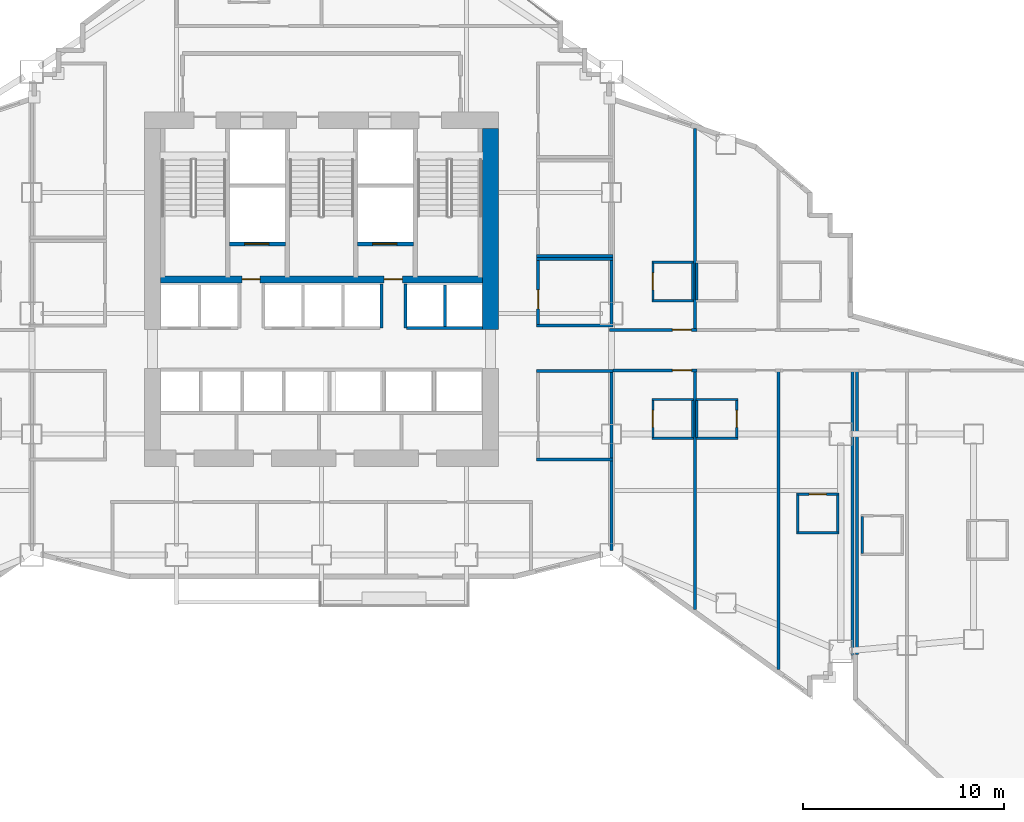
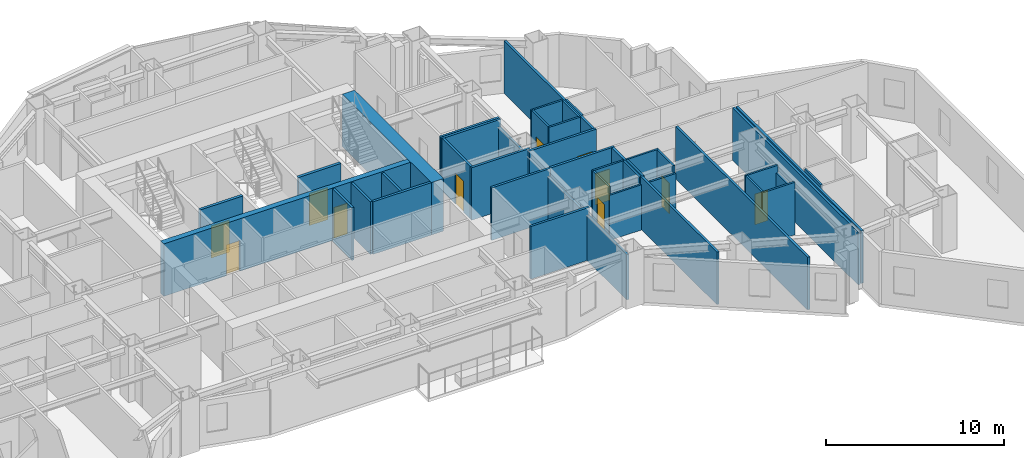
# One storey, part 10 of 17: 42 walls, 11 doors, 11 openings.
"""IFC4 building model written with IfcOpenShell, lengths in metres."""

import ifcopenshell
import ifcopenshell.guid

model = None  # the IFC model being written
_history = None  # IfcOwnerHistory: only IFC2X3 demands one
_inside = {}  # id of a spatial element -> (the spatial element, [elements in it])
_under = {}  # id of a project, library or spatial element -> (it, [spatial elements below it])
_declared = {}  # id of a project -> (the project, [libraries it declares])
_typed = {}  # id of a type object -> (the type object, [elements of that type])
_made_of = {}  # id of a material, layer set ... -> (it, [elements and type objects made of it])


def new_model(schema):
    """Start an empty IFC model of exactly this schema.

    Asked for "IFC4X3", IfcOpenShell would pick the latest addendum, in which some entities
    have other attributes; the version numbers below select the first issue.
    IFC2X3 requires an IfcOwnerHistory on every rooted entity: one is made here for all.
    """
    global model, _history
    if schema == "IFC4X3":
        model = ifcopenshell.file(schema_version=(4, 3, 0, 0))
    else:
        model = ifcopenshell.file(schema=schema)
    _inside.clear()
    _under.clear()
    _declared.clear()
    _typed.clear()
    _made_of.clear()
    _history = None
    if model.schema == "IFC2X3":
        org = make("IfcOrganization", Name="unknown")
        user = make(
            "IfcPersonAndOrganization",
            ThePerson=make("IfcPerson", FamilyName="unknown"),
            TheOrganization=org,
        )
        app = make(
            "IfcApplication",
            ApplicationDeveloper=org,
            Version="unknown",
            ApplicationFullName="unknown",
            ApplicationIdentifier="unknown",
        )
        _history = make(
            "IfcOwnerHistory",
            OwningUser=user,
            OwningApplication=app,
            ChangeAction="ADDED",
            CreationDate=0,
        )
    return model


def make(cls, **values):
    """One entity of the class cls with the attributes given. An attribute that is None is left unset."""
    return model.create_entity(
        cls, **{name: value for name, value in values.items() if value is not None}
    )


def rooted(cls, **values):
    """An entity with a GlobalId (a new one), such as an element, a storey or a relation."""
    return make(cls, GlobalId=ifcopenshell.guid.new(), OwnerHistory=_history, **values)


def si_unit(unit_type, name, prefix=None):
    """IfcSIUnit, for example si_unit("LENGTHUNIT", "METRE", prefix="MILLI")."""
    return make("IfcSIUnit", UnitType=unit_type, Prefix=prefix, Name=name)


def assignment(units):
    """IfcUnitAssignment: the units of a project."""
    return None if units is None else make("IfcUnitAssignment", Units=units)


def point(xyz):
    """IfcCartesianPoint."""
    return None if xyz is None else make("IfcCartesianPoint", Coordinates=xyz)


def direction(xyz):
    """IfcDirection."""
    return None if xyz is None else make("IfcDirection", DirectionRatios=xyz)


def frame(location, z_axis=None, x_axis=None):
    """IfcAxis2Placement3D, a coordinate frame: its origin and axes. An axis left out is left unset."""
    return make(
        "IfcAxis2Placement3D",
        Location=point(location),
        Axis=direction(z_axis),
        RefDirection=direction(x_axis),
    )


def frame_2d(location, x_axis=None):
    """IfcAxis2Placement2D, a coordinate frame in the plane: its origin and x axis."""
    return make(
        "IfcAxis2Placement2D", Location=point(location), RefDirection=direction(x_axis)
    )


def origin():
    """The frame at (0, 0, 0) with its axes left unset."""
    return frame((0.0, 0.0, 0.0))


def place(relative_to, where):
    """IfcLocalPlacement: puts the frame where relative to a parent placement (None: the world)."""
    return make(
        "IfcLocalPlacement", PlacementRelTo=relative_to, RelativePlacement=where
    )


def context(
    kind, dimensions, precision=None, world=None, true_north=None, identifier=None
):
    """IfcGeometricRepresentationContext, for example the 3D "Model" context."""
    return make(
        "IfcGeometricRepresentationContext",
        ContextIdentifier=identifier,
        ContextType=kind,
        CoordinateSpaceDimension=dimensions,
        Precision=precision,
        WorldCoordinateSystem=world,
        TrueNorth=true_north,
    )


def subcontext(parent, identifier, kind, view, scale=None):
    """IfcGeometricRepresentationSubContext, for example "Body" below "Model"."""
    return make(
        "IfcGeometricRepresentationSubContext",
        ContextIdentifier=identifier,
        ContextType=kind,
        ParentContext=parent,
        TargetScale=scale,
        TargetView=view,
    )


def project(units=None, contexts=None):
    """IfcProject with its units and contexts."""
    return rooted(
        "IfcProject",
        Name="project",
        RepresentationContexts=contexts,
        UnitsInContext=assignment(units),
    )


def spatial(cls, under=None, at=None, **own):
    """A site, building, storey or space (cls), placed at a placement, below another one or the project."""
    s = rooted(cls, ObjectPlacement=at, **own)
    if under is not None:
        _under.setdefault(under.id(), (under, []))[1].append(s)
    return s


def profile(cls, at=None, kind="AREA", **sizes):
    """A parametric profile (cls). Its sizes go by their IFC names, for example OverallWidth=200.0."""
    return make(cls, ProfileType=kind, Position=at, **sizes)


def rectangle(**sizes):
    """IfcRectangleProfileDef."""
    return profile("IfcRectangleProfileDef", **sizes)


def extrude(swept, where, along, depth):
    """IfcExtrudedAreaSolid: the profile swept, set in the frame where, extruded along a direction by depth."""
    return make(
        "IfcExtrudedAreaSolid",
        SweptArea=swept,
        Position=where,
        ExtrudedDirection=direction(along),
        Depth=depth,
    )


def shape(context_of_items, identifier, shape_type, items):
    """IfcShapeRepresentation: the items that make up one representation, for example the "Body"."""
    return make(
        "IfcShapeRepresentation",
        ContextOfItems=context_of_items,
        RepresentationIdentifier=identifier,
        RepresentationType=shape_type,
        Items=items,
    )


def material(Name=None, Category=None):
    """IfcMaterial."""
    return make("IfcMaterial", Name=Name, Category=Category)


def layer(
    of_material, thickness, ventilated=None, Name=None, Category=None, Priority=None
):
    """IfcMaterialLayer: one layer of a wall or slab, of a material (None: an air gap)."""
    return make(
        "IfcMaterialLayer",
        Material=of_material,
        LayerThickness=thickness,
        IsVentilated=ventilated,
        Name=Name,
        Category=Category,
        Priority=Priority,
    )


def layer_set(layers, Name=None):
    """IfcMaterialLayerSet."""
    return make("IfcMaterialLayerSet", MaterialLayers=layers, LayerSetName=Name)


def made_of(thing, what):
    """Note that an element or type object is made of a material, layer set ...; save() writes the relation."""
    if what is not None:
        _made_of.setdefault(what.id(), (what, []))[1].append(thing)
    return thing


def type_object(cls, material=None, **own):
    """A type object (cls), such as IfcWallType, which elements share."""
    return made_of(rooted(cls, **own), material)


def element(
    cls,
    number,
    at=None,
    inside=None,
    cuts=None,
    type_object=None,
    material=None,
    context=None,
    identifier="Body",
    shape_type=None,
    held_by="IfcProductDefinitionShape",
    body=None,
    shapes=None,
    **own,
):
    """One element of the class cls, such as IfcWall. Its Tag is "e" and its number.

    at: its placement. inside: the storey or other place that contains it. cuts: it is an
    opening in that element (IfcRelVoidsElement). A single representation is given by context,
    identifier, shape_type and body (its items); several are given by shapes. held_by: the class
    of the entity that holds the representations. save() writes the other relations.
    """
    e = rooted(cls, Tag="e%d" % number, ObjectPlacement=at, **own)
    if body is not None:
        shapes = [shape(context, identifier, shape_type, body)]
    if shapes is not None:
        e.Representation = make(held_by, Representations=shapes)
    if inside is not None:
        _inside.setdefault(inside.id(), (inside, []))[1].append(e)
    if cuts is not None:
        rooted(
            "IfcRelVoidsElement", RelatingBuildingElement=cuts, RelatedOpeningElement=e
        )
    if type_object is not None:
        _typed.setdefault(type_object.id(), (type_object, []))[1].append(e)
    return made_of(e, material)


def fill(opening, filler):
    """IfcRelFillsElement: the door or window that sits in an opening."""
    return rooted(
        "IfcRelFillsElement",
        RelatingOpeningElement=opening,
        RelatedBuildingElement=filler,
    )


def aggregate(whole, parts):
    """IfcRelAggregates: a whole, such as a stair, and the parts it consists of."""
    return rooted("IfcRelAggregates", RelatingObject=whole, RelatedObjects=parts)


def save(model, path):
    """Write the relations noted so far, then the file.

    IfcRelAggregates (storeys below a building ...), IfcRelContainedInSpatialStructure (elements
    in a storey), IfcRelDefinesByType, IfcRelAssociatesMaterial and IfcRelDeclares: one each for
    every whole, place, type object, material and project.
    """
    for whole, parts in _under.values():
        aggregate(whole, parts)
    for where, things in _inside.values():
        rooted(
            "IfcRelContainedInSpatialStructure",
            RelatedElements=things,
            RelatingStructure=where,
        )
    for kind, things in _typed.values():
        rooted("IfcRelDefinesByType", RelatedObjects=things, RelatingType=kind)
    for what, things in _made_of.values():
        rooted("IfcRelAssociatesMaterial", RelatedObjects=things, RelatingMaterial=what)
    for by, libraries in _declared.values():
        rooted("IfcRelDeclares", RelatingContext=by, RelatedDefinitions=libraries)
    model.write(path)


model = new_model("IFC4")

# Units and contexts
model_context = context("Model", 3, precision=1e-05, world=origin(), true_north=direction((0.0, 1.0)))
body_context = subcontext(model_context, "Body", "Model", "MODEL_VIEW")
ifc_project = project(units=[si_unit("LENGTHUNIT", "METRE"), si_unit("AREAUNIT", "SQUARE_METRE"), si_unit("VOLUMEUNIT", "CUBIC_METRE"), si_unit("PLANEANGLEUNIT", "RADIAN"), si_unit("MASSUNIT", "GRAM", prefix="KILO")], contexts=[model_context])

# Site, building, storey
site_placement = place(None, origin())
site = spatial("IfcSite", under=ifc_project, at=site_placement, CompositionType="ELEMENT")
building_placement = place(site_placement, origin())
building = spatial("IfcBuilding", under=site, at=building_placement, Name="Haolan Belvedere Tower", CompositionType="ELEMENT")
storey_placement = place(building_placement, frame((0.0, 0.0, 81.800048828125)))
storey = spatial("IfcBuildingStorey", under=building, at=storey_placement, Name="L20", CompositionType="ELEMENT", Elevation=81.800048828125)

# Walls
ifc_material_1 = material(Name="Concrete C70/85", Category="concrete")
ifc_layer_1 = layer(ifc_material_1, 0.800048828125, Name="Concrete C70/85")
ifc_layer_set_1 = layer_set([ifc_layer_1], Name="Concrete C70/85")
wall_type_1 = type_object("IfcWallType", Name="WL-CORE-800", PredefinedType="SHEAR", material=ifc_layer_set_1)
wall_1_placement = place(storey_placement, frame((46.800048828125, 32.800048828125, 0.0), z_axis=(0.0, 0.0, 1.0), x_axis=(0.0, 1.0, 0.0)))
element("IfcWall", 1, at=wall_1_placement, inside=storey, type_object=wall_type_1, Name="L20 central core shear wall EN", PredefinedType="SHEAR", context=body_context, shape_type="SweptSolid", body=[
    extrude(rectangle(XDim=10.0, YDim=0.800048828125, at=frame_2d((5.0, 0.0))), origin(), (0.0, 0.0, 1.0), 3.599853515625),
])
ifc_material_2 = material(Name="Double gypsum acoustic stud partition", Category="masonry")
ifc_layer_2 = layer(ifc_material_2, 0.14990234375, Name="Double gypsum acoustic stud partition")
ifc_layer_set_2 = layer_set([ifc_layer_2], Name="Double gypsum acoustic stud partition")
wall_type_2 = type_object("IfcWallType", Name="WL-PART-150", PredefinedType="PARTITIONING", material=ifc_layer_set_2)
for number, where, z_axis, x_axis, name in (
    (2, (49.080078125, 36.300048828125, 0.0), (0.0, 0.0, 1.0), (1.0, 0.0, 0.0), "L20 interior partition IW-L20-AWC-N"),
    (3, (49.080078125, 33.0, 0.0), (0.0, 0.0, 1.0), (1.0, 0.0, 0.0), "L20 interior partition IW-L20-AWC-S"),
):
    element("IfcWall", number, at=place(storey_placement, frame(where, z_axis=z_axis, x_axis=x_axis)), inside=storey, type_object=wall_type_2, Name=name, PredefinedType="PARTITIONING", context=body_context, shape_type="SweptSolid", body=[
        extrude(rectangle(XDim=3.7998046875, YDim=0.14990234375, at=frame_2d((1.89990234375, 0.0))), origin(), (0.0, 0.0, 1.0), 3.599853515625),
    ])

# Wall, opening, door
wall_2_placement = place(storey_placement, frame((49.159912109375, 33.06005859375, 0.0), z_axis=(0.0, 0.0, 1.0), x_axis=(0.0, 1.0, 0.0)))
wall_2 = element("IfcWall", 4, at=wall_2_placement, inside=storey, type_object=wall_type_2, Name="L20 interior partition IW-L20-AWC-W", PredefinedType="PARTITIONING", context=body_context, shape_type="SweptSolid", body=[
    extrude(rectangle(XDim=3.179931640625, YDim=0.14990234375, at=frame_2d((1.58984375, 0.0))), origin(), (0.0, 0.0, 1.0), 3.599853515625),
])
opening_1_placement = place(wall_2_placement, frame((0.760009765625, 0.0, 0.0)))
opening_1 = element("IfcOpeningElement", 5, at=opening_1_placement, cuts=wall_2, Name="Opening ID-03", PredefinedType="OPENING", context=body_context, shape_type="SweptSolid", body=[
    extrude(rectangle(XDim=0.949951171875, YDim=2.1201171875, at=frame_2d((0.47509765625, 1.06005859375))), frame((0.0, 0.0849609375, 0.0), z_axis=(0.0, -1.0, 0.0), x_axis=(1.0, 0.0, 0.0)), (0.0, 0.0, 1.0), 0.169921875),
])
ifc_material_3 = material(Name="Painted solid-core timber", Category="wood")
door_type_1 = type_object("IfcDoorType", Name="DR-INT-950", OperationType="NOTDEFINED", PredefinedType="DOOR", material=ifc_material_3)
door_1_placement = place(opening_1_placement, origin())
door_1 = element("IfcDoor", 6, at=door_1_placement, inside=storey, type_object=door_type_1, Name="L20 door ID-L20-AWC", OperationType="SINGLE_SWING_LEFT", OverallHeight=2.1201171875, OverallWidth=0.949951171875, PredefinedType="DOOR", context=body_context, shape_type="SweptSolid", body=[
    extrude(rectangle(XDim=0.949951171875, YDim=2.1201171875, at=frame_2d((0.47509765625, 1.06005859375))), frame((0.0, 0.02490234375, 0.0), z_axis=(0.0, -1.0, 0.0), x_axis=(1.0, 0.0, 0.0)), (0.0, 0.0, 1.0), 0.050048828125),
])
fill(opening_1, door_1)

# Walls
wall_3_placement = place(storey_placement, frame((52.800048828125, 33.06005859375, 0.0), z_axis=(0.0, 0.0, 1.0), x_axis=(0.0, 1.0, 0.0)))
element("IfcWall", 7, at=wall_3_placement, inside=storey, type_object=wall_type_2, Name="L20 interior partition IW-L20-AWC-E", PredefinedType="PARTITIONING", context=body_context, shape_type="SweptSolid", body=[
    extrude(rectangle(XDim=3.179931640625, YDim=0.14990234375, at=frame_2d((1.58984375, 0.0))), origin(), (0.0, 0.0, 1.0), 3.096923828125),
])
for number, where, z_axis, x_axis, name in (
    (8, (49.080078125, 36.4599609375, 0.0), (0.0, 0.0, 1.0), (1.0, 0.0, 0.0), "L20 interior partition IW-L20-STY-S"),
    (9, (49.080078125, 30.72998046875, 0.0), (0.0, 0.0, 1.0), (1.0, 0.0, 0.0), "L20 interior partition IW-L20-PKTE-N"),
    (10, (49.080078125, 26.35009765625, 0.0), (0.0, 0.0, 1.0), (1.0, 0.0, 0.0), "L20 interior partition IW-L20-PKTE-S"),
):
    element("IfcWall", number, at=place(storey_placement, frame(where, z_axis=z_axis, x_axis=x_axis)), inside=storey, type_object=wall_type_2, Name=name, PredefinedType="PARTITIONING", context=body_context, shape_type="SweptSolid", body=[
        extrude(rectangle(XDim=3.7998046875, YDim=0.14990234375, at=frame_2d((1.89990234375, 0.0))), origin(), (0.0, 0.0, 1.0), 3.599853515625),
    ])
wall_4_placement = place(storey_placement, frame((52.800048828125, 26.409912109375, 0.0), z_axis=(0.0, 0.0, 1.0), x_axis=(0.0, 1.0, 0.0)))
element("IfcWall", 11, at=wall_4_placement, inside=storey, type_object=wall_type_2, Name="L20 interior partition IW-L20-PKTE-E", PredefinedType="PARTITIONING", context=body_context, shape_type="SweptSolid", body=[
    extrude(rectangle(XDim=4.260009765625, YDim=0.14990234375, at=frame_2d((2.1298828125, 0.0))), origin(), (0.0, 0.0, 1.0), 3.096923828125),
])

# Wall, opening, door
wall_5_placement = place(storey_placement, frame((52.699951171875, 32.780029296875, 0.0), z_axis=(0.0, 0.0, 1.0), x_axis=(1.0, 0.0, 0.0)))
wall_5 = element("IfcWall", 12, at=wall_5_placement, inside=storey, type_object=wall_type_2, Name="L20 interior partition IW-L20-T4N1-S", PredefinedType="PARTITIONING", context=body_context, shape_type="SweptSolid", body=[
    extrude(rectangle(XDim=4.35009765625, YDim=0.14990234375, at=frame_2d((2.175048828125, 0.0))), origin(), (0.0, 0.0, 1.0), 3.599853515625),
])
opening_2_placement = place(wall_5_placement, frame((3.1298828125, 0.0, 0.0)))
opening_2 = element("IfcOpeningElement", 13, at=opening_2_placement, cuts=wall_5, Name="Opening ID-02", PredefinedType="OPENING", context=body_context, shape_type="SweptSolid", body=[
    extrude(rectangle(XDim=0.949951171875, YDim=2.14990234375, at=frame_2d((0.47509765625, 1.074951171875))), frame((0.0, 0.0849609375, 0.0), z_axis=(0.0, -1.0, 0.0), x_axis=(1.0, 0.0, 0.0)), (0.0, 0.0, 1.0), 0.169921875),
])
ifc_material_4 = material(Name="Acoustic oak veneer fire-rated timber", Category="wood")
door_type_2 = type_object("IfcDoorType", Name="DR-GUEST-950", OperationType="NOTDEFINED", PredefinedType="DOOR", material=ifc_material_4)
door_2_placement = place(opening_2_placement, origin())
door_2 = element("IfcDoor", 14, at=door_2_placement, inside=storey, type_object=door_type_2, Name="L20 door ID-L20-T4N1-ENT", OperationType="SINGLE_SWING_RIGHT", OverallHeight=2.14990234375, OverallWidth=0.949951171875, PredefinedType="DOOR", context=body_context, shape_type="SweptSolid", body=[
    extrude(rectangle(XDim=0.949951171875, YDim=2.14990234375, at=frame_2d((0.47509765625, 1.074951171875))), frame((0.0, 0.02490234375, 0.0), z_axis=(0.0, -1.0, 0.0), x_axis=(1.0, 0.0, 0.0)), (0.0, 0.0, 1.0), 0.050048828125),
])
fill(opening_2, door_2)

# Wall
wall_6_placement = place(storey_placement, frame((56.949951171875, 32.840087890625, 0.0), z_axis=(0.0, 0.0, 1.0), x_axis=(0.0, 1.0, 0.0)))
element("IfcWall", 15, at=wall_6_placement, inside=storey, type_object=wall_type_2, Name="L20 interior partition IW-L20-T4N1-E", PredefinedType="PARTITIONING", context=body_context, shape_type="SweptSolid", body=[
    extrude(rectangle(XDim=9.939453125, YDim=0.14990234375, at=frame_2d((4.9697265625, 0.0))), origin(), (0.0, 0.0, 1.0), 3.599853515625),
])

# Wall, opening, door
wall_7_placement = place(storey_placement, frame((52.882080078125, 30.77001953125, 0.0), z_axis=(0.0, 0.0, 1.0), x_axis=(1.0, 0.0, 0.0)))
wall_7 = element("IfcWall", 16, at=wall_7_placement, inside=storey, type_object=wall_type_2, Name="L20 interior partition IW-L20-T4S1-N", PredefinedType="PARTITIONING", context=body_context, shape_type="SweptSolid", body=[
    extrude(rectangle(XDim=4.16796875, YDim=0.14990234375, at=frame_2d((2.083984375, 0.0))), origin(), (0.0, 0.0, 1.0), 3.599853515625),
])
opening_3_placement = place(wall_7_placement, frame((3.904541015625, 0.0, 0.0), z_axis=(0.0, 0.0, 1.0), x_axis=(-1.0, 0.0, 0.0)))
opening_3 = element("IfcOpeningElement", 17, at=opening_3_placement, cuts=wall_7, Name="Opening ID-02", PredefinedType="OPENING", context=body_context, shape_type="SweptSolid", body=[
    extrude(rectangle(XDim=0.949951171875, YDim=2.14990234375, at=frame_2d((0.47509765625, 1.074951171875))), frame((0.0, 0.0849609375, 0.0), z_axis=(0.0, -1.0, 0.0), x_axis=(1.0, 0.0, 0.0)), (0.0, 0.0, 1.0), 0.169921875),
])
door_3_placement = place(opening_3_placement, origin())
door_3 = element("IfcDoor", 18, at=door_3_placement, inside=storey, type_object=door_type_2, Name="L20 door ID-L20-T4S1-ENT", OperationType="SINGLE_SWING_LEFT", OverallHeight=2.14990234375, OverallWidth=0.949951171875, PredefinedType="DOOR", context=body_context, shape_type="SweptSolid", body=[
    extrude(rectangle(XDim=0.949951171875, YDim=2.14990234375, at=frame_2d((0.47509765625, 1.074951171875))), frame((0.0, 0.02490234375, 0.0), z_axis=(0.0, -1.0, 0.0), x_axis=(1.0, 0.0, 0.0)), (0.0, 0.0, 1.0), 0.050048828125),
])
fill(opening_3, door_3)

# Walls
wall_8_placement = place(storey_placement, frame((52.800048828125, 21.818603515625, 0.0), z_axis=(0.0, 0.0, 1.0), x_axis=(0.0, 1.0, 0.0)))
element("IfcWall", 19, at=wall_8_placement, inside=storey, type_object=wall_type_2, Name="L20 interior partition IW-L20-T4S1-W", PredefinedType="PARTITIONING", context=body_context, shape_type="SweptSolid", body=[
    extrude(rectangle(XDim=4.471435546875, YDim=0.14990234375, at=frame_2d((2.23583984375, 0.0))), origin(), (0.0, 0.0, 1.0), 3.096923828125),
])
wall_9_placement = place(storey_placement, frame((56.949951171875, 18.889404296875, 0.0), z_axis=(0.0, 0.0, 1.0), x_axis=(0.0, 1.0, 0.0)))
element("IfcWall", 20, at=wall_9_placement, inside=storey, type_object=wall_type_2, Name="L20 interior partition IW-L20-T4S1-E", PredefinedType="PARTITIONING", context=body_context, shape_type="SweptSolid", body=[
    extrude(rectangle(XDim=11.820556640625, YDim=0.14990234375, at=frame_2d((5.91015625, 0.0))), origin(), (0.0, 0.0, 1.0), 3.599853515625),
])
wall_10_placement = place(storey_placement, frame((61.10009765625, 15.9013671875, 0.0), z_axis=(0.0, 0.0, 1.0), x_axis=(0.0, 1.0, 0.0)))
element("IfcWall", 21, at=wall_10_placement, inside=storey, type_object=wall_type_2, Name="L20 interior partition IW-L20-T4S2-E", PredefinedType="PARTITIONING", context=body_context, shape_type="SweptSolid", body=[
    extrude(rectangle(XDim=14.80859375, YDim=0.14990234375, at=frame_2d((7.404296875, 0.0))), origin(), (0.0, 0.0, 1.0), 3.599853515625),
])
wall_11_placement = place(storey_placement, frame((65.0, 16.64208984375, 0.0), z_axis=(0.0, 0.0, 1.0), x_axis=(0.0, 1.0, 0.0)))
element("IfcWall", 22, at=wall_11_placement, inside=storey, type_object=wall_type_2, Name="L20 interior partition IW-L20-T4S3-E", PredefinedType="PARTITIONING", context=body_context, shape_type="SweptSolid", body=[
    extrude(rectangle(XDim=14.06787109375, YDim=0.14990234375, at=frame_2d((7.033935546875, 0.0))), origin(), (0.0, 0.0, 1.0), 3.599853515625),
])
wall_12_placement = place(storey_placement, frame((64.780029296875, 16.612060546875, 0.0), z_axis=(0.0, 0.0, 1.0), x_axis=(0.0, 1.0, 0.0)))
element("IfcWall", 23, at=wall_12_placement, inside=storey, type_object=wall_type_2, Name="L20 interior partition IW-L20-T5S1-W", PredefinedType="PARTITIONING", context=body_context, shape_type="SweptSolid", body=[
    extrude(rectangle(XDim=14.097900390625, YDim=0.14990234375, at=frame_2d((7.048828125, 0.0))), origin(), (0.0, 0.0, 1.0), 3.599853515625),
])
ifc_material_5 = material(Name="Gypsum fire shaftwall assembly", Category="masonry")
ifc_layer_3 = layer(ifc_material_5, 0.1650390625, Name="Gypsum fire shaftwall assembly")
ifc_layer_set_3 = layer_set([ifc_layer_3], Name="Gypsum fire shaftwall assembly")
wall_type_3 = type_object("IfcWallType", Name="WL-SHAFT-160", PredefinedType="SOLIDWALL", material=ifc_layer_set_3)
for number, where, z_axis, x_axis, name in (
    (24, (41.3701171875, 32.8798828125, 0.0), (0.0, 0.0, 1.0), (0.0, 1.0, 0.0), "L20 interior partition IW-L20-SVP-W-SV2"),
    (25, (42.570068359375, 32.8798828125, 0.0), (0.0, 0.0, 1.0), (0.0, 1.0, 0.0), "L20 interior partition IW-L20-SVP-E-SV2"),
):
    element("IfcWall", number, at=place(storey_placement, frame(where, z_axis=z_axis, x_axis=x_axis)), inside=storey, type_object=wall_type_3, Name=name, PredefinedType="SOLIDWALL", context=body_context, shape_type="SweptSolid", body=[
        extrude(rectangle(XDim=2.170166015625, YDim=0.14990234375, at=frame_2d((1.0849609375, 0.0))), origin(), (0.0, 0.0, 1.0), 3.599853515625),
    ])
wall_13_placement = place(storey_placement, frame((42.6298828125, 32.8798828125, 0.0), z_axis=(0.0, 0.0, 1.0), x_axis=(1.0, 0.0, 0.0)))
element("IfcWall", 26, at=wall_13_placement, inside=storey, type_object=wall_type_3, Name="L20 interior partition IW-L20-ROW-PN3", PredefinedType="SOLIDWALL", context=body_context, shape_type="SweptSolid", body=[
    extrude(rectangle(XDim=3.77001953125, YDim=0.159912109375, at=frame_2d((1.885009765625, 0.0))), origin(), (0.0, 0.0, 1.0), 3.599853515625),
])
wall_14_placement = place(storey_placement, frame((44.530029296875, 32.949951171875, 0.0), z_axis=(0.0, 0.0, 1.0), x_axis=(0.0, 1.0, 0.0)))
element("IfcWall", 27, at=wall_14_placement, inside=storey, type_object=wall_type_3, Name="L20 interior partition IW-L20-DIV-PH2", PredefinedType="SOLIDWALL", context=body_context, shape_type="SweptSolid", body=[
    extrude(rectangle(XDim=2.050048828125, YDim=0.14990234375, at=frame_2d((1.02490234375, 0.0))), origin(), (0.0, 0.0, 1.0), 3.599853515625),
])

# Wall, opening, door
ifc_material_6 = material(Name="Precast concrete C40/50", Category="concrete")
ifc_layer_4 = layer(ifc_material_6, 0.179931640625, Name="Precast concrete C40/50")
ifc_layer_set_4 = layer_set([ifc_layer_4], Name="Precast concrete C40/50")
wall_type_4 = type_object("IfcWallType", Name="WL-SHAFT-180", PredefinedType="SOLIDWALL", material=ifc_layer_set_4)
wall_15_placement = place(storey_placement, frame((33.8349609375, 37.050048828125, 0.0), z_axis=(0.0, 0.0, 1.0), x_axis=(1.0, 0.0, 0.0)))
wall_15 = element("IfcWall", 28, at=wall_15_placement, inside=storey, type_object=wall_type_4, Name="L20 interior partition IW-L20-SV1-S", PredefinedType="SOLIDWALL", context=body_context, shape_type="SweptSolid", body=[
    extrude(rectangle(XDim=2.77001953125, YDim=0.179931640625, at=frame_2d((1.385009765625, 0.0))), origin(), (0.0, 0.0, 1.0), 3.599853515625),
])
opening_4_placement = place(wall_15_placement, frame((1.945068359375, 0.0, 0.0), z_axis=(0.0, 0.0, 1.0), x_axis=(-1.0, 0.0, 0.0)))
opening_4 = element("IfcOpeningElement", 29, at=opening_4_placement, cuts=wall_15, Name="Opening LD-02", PredefinedType="OPENING", context=body_context, shape_type="SweptSolid", body=[
    extrude(rectangle(XDim=1.199951171875, YDim=2.199951171875, at=frame_2d((0.60009765625, 1.10009765625))), frame((0.0, 0.099853515625, 0.0), z_axis=(0.0, -1.0, 0.0), x_axis=(1.0, 0.0, 0.0)), (0.0, 0.0, 1.0), 0.199951171875),
])
ifc_material_7 = material(Name="Brushed champagne stainless steel 316L", Category="steel")
door_type_3 = type_object("IfcDoorType", Name="DR-LIFT-1200", OperationType="SLIDING_TO_RIGHT", PredefinedType="DOOR", material=ifc_material_7)
door_4_placement = place(opening_4_placement, origin())
door_4 = element("IfcDoor", 30, at=door_4_placement, inside=storey, type_object=door_type_3, Name="L20 door ID-L20-LD-SV1", OperationType="SLIDING_TO_RIGHT", OverallHeight=2.199951171875, OverallWidth=1.199951171875, PredefinedType="DOOR", context=body_context, shape_type="SweptSolid", body=[
    extrude(rectangle(XDim=1.199951171875, YDim=2.199951171875, at=frame_2d((0.60009765625, 1.10009765625))), frame((0.0, 0.02490234375, 0.0), z_axis=(0.0, -1.0, 0.0), x_axis=(1.0, 0.0, 0.0)), (0.0, 0.0, 1.0), 0.050048828125),
])
fill(opening_4, door_4)

wall_16_placement = place(storey_placement, frame((40.195068359375, 37.050048828125, 0.0), z_axis=(0.0, 0.0, 1.0), x_axis=(1.0, 0.0, 0.0)))
wall_16 = element("IfcWall", 31, at=wall_16_placement, inside=storey, type_object=wall_type_4, Name="L20 interior partition IW-L20-SV2-S", PredefinedType="SOLIDWALL", context=body_context, shape_type="SweptSolid", body=[
    extrude(rectangle(XDim=2.77001953125, YDim=0.179931640625, at=frame_2d((1.385009765625, 0.0))), origin(), (0.0, 0.0, 1.0), 3.599853515625),
])
opening_5_placement = place(wall_16_placement, frame((1.945068359375, 0.0, 0.0), z_axis=(0.0, 0.0, 1.0), x_axis=(-1.0, 0.0, 0.0)))
opening_5 = element("IfcOpeningElement", 32, at=opening_5_placement, cuts=wall_16, Name="Opening LD-02", PredefinedType="OPENING", context=body_context, shape_type="SweptSolid", body=[
    extrude(rectangle(XDim=1.199951171875, YDim=2.199951171875, at=frame_2d((0.60009765625, 1.10009765625))), frame((0.0, 0.099853515625, 0.0), z_axis=(0.0, -1.0, 0.0), x_axis=(1.0, 0.0, 0.0)), (0.0, 0.0, 1.0), 0.199951171875),
])
door_5_placement = place(opening_5_placement, origin())
door_5 = element("IfcDoor", 33, at=door_5_placement, inside=storey, type_object=door_type_3, Name="L20 door ID-L20-LD-SV2", OperationType="SLIDING_TO_RIGHT", OverallHeight=2.199951171875, OverallWidth=1.199951171875, PredefinedType="DOOR", context=body_context, shape_type="SweptSolid", body=[
    extrude(rectangle(XDim=1.199951171875, YDim=2.199951171875, at=frame_2d((0.60009765625, 1.10009765625))), frame((0.0, 0.02490234375, 0.0), z_axis=(0.0, -1.0, 0.0), x_axis=(1.0, 0.0, 0.0)), (0.0, 0.0, 1.0), 0.050048828125),
])
fill(opening_5, door_5)

# Wall, openings, doors
ifc_material_8 = material(Name="Concrete C60/75", Category="concrete")
ifc_layer_5 = layer(ifc_material_8, 0.360107421875, Name="Concrete C60/75")
ifc_layer_set_5 = layer_set([ifc_layer_5], Name="Concrete C60/75")
wall_type_5 = type_object("IfcWallType", Name="WL-WEB-350", PredefinedType="SHEAR", material=ifc_layer_set_5)
wall_17_placement = place(storey_placement, frame((30.39990234375, 35.2900390625, 0.0), z_axis=(0.0, 0.0, 1.0), x_axis=(1.0, 0.0, 0.0)))
wall_17 = element("IfcWall", 34, at=wall_17_placement, inside=storey, type_object=wall_type_5, Name="L20 central core internal shear web", PredefinedType="SHEAR", context=body_context, shape_type="SweptSolid", body=[
    extrude(rectangle(XDim=16.0, YDim=0.360107421875, at=frame_2d((8.0, 0.0))), origin(), (0.0, 0.0, 1.0), 3.599853515625),
])
opening_6_placement = place(wall_17_placement, frame((4.949951171875, 0.0, 0.0), z_axis=(0.0, 0.0, 1.0), x_axis=(-1.0, 0.0, 0.0)))
opening_6 = element("IfcOpeningElement", 35, at=opening_6_placement, cuts=wall_17, Name="Opening FD-05", PredefinedType="OPENING", context=body_context, shape_type="SweptSolid", body=[
    extrude(rectangle(XDim=0.89990234375, YDim=2.10009765625, at=frame_2d((0.449951171875, 1.050048828125))), frame((0.0, 0.18994140625, 0.0), z_axis=(0.0, -1.0, 0.0), x_axis=(1.0, 0.0, 0.0)), (0.0, 0.0, 1.0), 0.380126953125),
])
opening_7_placement = place(wall_17_placement, frame((12.010009765625, 0.0, 0.0), z_axis=(0.0, 0.0, 1.0), x_axis=(-1.0, 0.0, 0.0)))
opening_7 = element("IfcOpeningElement", 36, at=opening_7_placement, cuts=wall_17, Name="Opening FD-05", PredefinedType="OPENING", context=body_context, shape_type="SweptSolid", body=[
    extrude(rectangle(XDim=0.89990234375, YDim=2.10009765625, at=frame_2d((0.449951171875, 1.050048828125))), frame((0.0, 0.18994140625, 0.0), z_axis=(0.0, -1.0, 0.0), x_axis=(1.0, 0.0, 0.0)), (0.0, 0.0, 1.0), 0.380126953125),
])
ifc_material_9 = material(Name="Galvanised fire-rated steel", Category="steel")
door_type_4 = type_object("IfcDoorType", Name="DR-FD60-900", OperationType="NOTDEFINED", PredefinedType="DOOR", material=ifc_material_9)
door_6_placement = place(opening_6_placement, origin())
door_6 = element("IfcDoor", 37, at=door_6_placement, inside=storey, type_object=door_type_4, Name="L20 door CD-L20-SVL-SV1", OperationType="SINGLE_SWING_RIGHT", OverallHeight=2.10009765625, OverallWidth=0.89990234375, PredefinedType="DOOR", context=body_context, shape_type="SweptSolid", body=[
    extrude(rectangle(XDim=0.89990234375, YDim=2.10009765625, at=frame_2d((0.449951171875, 1.050048828125))), frame((0.0, 0.02490234375, 0.0), z_axis=(0.0, -1.0, 0.0), x_axis=(1.0, 0.0, 0.0)), (0.0, 0.0, 1.0), 0.050048828125),
])
fill(opening_6, door_6)
door_7_placement = place(opening_7_placement, origin())
door_7 = element("IfcDoor", 38, at=door_7_placement, inside=storey, type_object=door_type_4, Name="L20 door CD-L20-SVL-SV2", OperationType="SINGLE_SWING_RIGHT", OverallHeight=2.10009765625, OverallWidth=0.89990234375, PredefinedType="DOOR", context=body_context, shape_type="SweptSolid", body=[
    extrude(rectangle(XDim=0.89990234375, YDim=2.10009765625, at=frame_2d((0.449951171875, 1.050048828125))), frame((0.0, 0.02490234375, 0.0), z_axis=(0.0, -1.0, 0.0), x_axis=(1.0, 0.0, 0.0)), (0.0, 0.0, 1.0), 0.050048828125),
])
fill(opening_7, door_7)

# Walls
ifc_material_10 = material(Name="Moisture-resistant gypsum tile partition", Category="masonry")
ifc_layer_6 = layer(ifc_material_10, 0.1201171875, Name="Moisture-resistant gypsum tile partition")
ifc_layer_set_6 = layer_set([ifc_layer_6], Name="Moisture-resistant gypsum tile partition")
wall_type_6 = type_object("IfcWallType", Name="WL-WET-120", PredefinedType="PARTITIONING", material=ifc_layer_set_6)
for number, where, z_axis, x_axis, name in (
    (39, (54.81005859375, 36.14990234375, 0.0), (0.0, 0.0, 1.0), (1.0, 0.0, 0.0), "L20 interior partition IW-L20-T4N1-BN"),
    (40, (54.81005859375, 34.22998046875, 0.0), (0.0, 0.0, 1.0), (1.0, 0.0, 0.0), "L20 interior partition IW-L20-T4N1-BS"),
):
    element("IfcWall", number, at=place(storey_placement, frame(where, z_axis=z_axis, x_axis=x_axis)), inside=storey, type_object=wall_type_6, Name=name, PredefinedType="PARTITIONING", context=body_context, shape_type="SweptSolid", body=[
        extrude(rectangle(XDim=2.079833984375, YDim=0.1201171875, at=frame_2d((1.0400390625, 0.0))), origin(), (0.0, 0.0, 1.0), 3.599853515625),
    ])

# Wall, opening, door
wall_18_placement = place(storey_placement, frame((54.8701171875, 34.27490234375, 0.0), z_axis=(0.0, 0.0, 1.0), x_axis=(0.0, 1.0, 0.0)))
wall_18 = element("IfcWall", 41, at=wall_18_placement, inside=storey, type_object=wall_type_6, Name="L20 interior partition IW-L20-T4N1-BW", PredefinedType="PARTITIONING", context=body_context, shape_type="SweptSolid", body=[
    extrude(rectangle(XDim=1.830078125, YDim=0.1201171875, at=frame_2d((0.9150390625, 0.0))), origin(), (0.0, 0.0, 1.0), 3.599853515625),
])
opening_8_placement = place(wall_18_placement, frame((1.340087890625, 0.0, 0.0), z_axis=(0.0, 0.0, 1.0), x_axis=(-1.0, 0.0, 0.0)))
opening_8 = element("IfcOpeningElement", 42, at=opening_8_placement, cuts=wall_18, Name="Opening ID-05", PredefinedType="OPENING", context=body_context, shape_type="SweptSolid", body=[
    extrude(rectangle(XDim=0.85009765625, YDim=2.10009765625, at=frame_2d((0.425048828125, 1.050048828125))), frame((0.0, 0.070068359375, 0.0), z_axis=(0.0, -1.0, 0.0), x_axis=(1.0, 0.0, 0.0)), (0.0, 0.0, 1.0), 0.14013671875),
])
ifc_material_11 = material(Name="Moisture-resistant lacquered timber", Category="wood")
door_type_5 = type_object("IfcDoorType", Name="DR-BATH-850", OperationType="NOTDEFINED", PredefinedType="DOOR", material=ifc_material_11)
door_8_placement = place(opening_8_placement, origin())
door_8 = element("IfcDoor", 43, at=door_8_placement, inside=storey, type_object=door_type_5, Name="L20 door ID-L20-T4N1-BATH", OperationType="SINGLE_SWING_LEFT", OverallHeight=2.10009765625, OverallWidth=0.85009765625, PredefinedType="DOOR", context=body_context, shape_type="SweptSolid", body=[
    extrude(rectangle(XDim=0.85009765625, YDim=2.10009765625, at=frame_2d((0.425048828125, 1.050048828125))), frame((0.0, 0.02490234375, 0.0), z_axis=(0.0, -1.0, 0.0), x_axis=(1.0, 0.0, 0.0)), (0.0, 0.0, 1.0), 0.050048828125),
])
fill(opening_8, door_8)

# Walls
for number, where, z_axis, x_axis, name in (
    (44, (56.85009765625, 34.27490234375, 0.0), (0.0, 0.0, 1.0), (0.0, 1.0, 0.0), "L20 interior partition IW-L20-T4N1-BE"),
    (45, (57.050048828125, 34.27490234375, 0.0), (0.0, 0.0, 1.0), (0.0, 1.0, 0.0), "L20 interior partition IW-L20-T4N2-BW"),
):
    element("IfcWall", number, at=place(storey_placement, frame(where, z_axis=z_axis, x_axis=x_axis)), inside=storey, type_object=wall_type_6, Name=name, PredefinedType="PARTITIONING", context=body_context, shape_type="SweptSolid", body=[
        extrude(rectangle(XDim=1.830078125, YDim=0.1201171875, at=frame_2d((0.9150390625, 0.0))), origin(), (0.0, 0.0, 1.0), 3.599853515625),
    ])
wall_19_placement = place(storey_placement, frame((54.81005859375, 29.320068359375, 0.0), z_axis=(0.0, 0.0, 1.0), x_axis=(1.0, 0.0, 0.0)))
element("IfcWall", 46, at=wall_19_placement, inside=storey, type_object=wall_type_6, Name="L20 interior partition IW-L20-T4S1-BN", PredefinedType="PARTITIONING", context=body_context, shape_type="SweptSolid", body=[
    extrude(rectangle(XDim=2.079833984375, YDim=0.1201171875, at=frame_2d((1.0400390625, 0.0))), origin(), (0.0, 0.0, 1.0), 3.599853515625),
])
wall_20_placement = place(storey_placement, frame((54.81005859375, 27.39990234375, 0.0), z_axis=(0.0, 0.0, 1.0), x_axis=(1.0, 0.0, 0.0)))
element("IfcWall", 47, at=wall_20_placement, inside=storey, type_object=wall_type_6, Name="L20 interior partition IW-L20-T4S1-BS", PredefinedType="PARTITIONING", context=body_context, shape_type="SweptSolid", body=[
    extrude(rectangle(XDim=2.079833984375, YDim=0.1201171875, at=frame_2d((1.0400390625, 0.0))), origin(), (0.0, 0.0, 1.0), 3.096923828125),
])

# Wall, opening, door
wall_21_placement = place(storey_placement, frame((54.8701171875, 27.445068359375, 0.0), z_axis=(0.0, 0.0, 1.0), x_axis=(0.0, 1.0, 0.0)))
wall_21 = element("IfcWall", 48, at=wall_21_placement, inside=storey, type_object=wall_type_6, Name="L20 interior partition IW-L20-T4S1-BW", PredefinedType="PARTITIONING", context=body_context, shape_type="SweptSolid", body=[
    extrude(rectangle(XDim=1.829833984375, YDim=0.1201171875, at=frame_2d((0.9150390625, 0.0))), origin(), (0.0, 0.0, 1.0), 3.599853515625),
])
opening_9_placement = place(wall_21_placement, frame((1.340087890625, 0.0, 0.0), z_axis=(0.0, 0.0, 1.0), x_axis=(-1.0, 0.0, 0.0)))
opening_9 = element("IfcOpeningElement", 49, at=opening_9_placement, cuts=wall_21, Name="Opening ID-05", PredefinedType="OPENING", context=body_context, shape_type="SweptSolid", body=[
    extrude(rectangle(XDim=0.85009765625, YDim=2.10009765625, at=frame_2d((0.425048828125, 1.050048828125))), frame((0.0, 0.070068359375, 0.0), z_axis=(0.0, -1.0, 0.0), x_axis=(1.0, 0.0, 0.0)), (0.0, 0.0, 1.0), 0.14013671875),
])
door_9_placement = place(opening_9_placement, origin())
door_9 = element("IfcDoor", 50, at=door_9_placement, inside=storey, type_object=door_type_5, Name="L20 door ID-L20-T4S1-BATH", OperationType="SINGLE_SWING_RIGHT", OverallHeight=2.10009765625, OverallWidth=0.85009765625, PredefinedType="DOOR", context=body_context, shape_type="SweptSolid", body=[
    extrude(rectangle(XDim=0.85009765625, YDim=2.10009765625, at=frame_2d((0.425048828125, 1.050048828125))), frame((0.0, 0.02490234375, 0.0), z_axis=(0.0, -1.0, 0.0), x_axis=(1.0, 0.0, 0.0)), (0.0, 0.0, 1.0), 0.050048828125),
])
fill(opening_9, door_9)

# Walls
wall_22_placement = place(storey_placement, frame((56.85009765625, 27.445068359375, 0.0), z_axis=(0.0, 0.0, 1.0), x_axis=(0.0, 1.0, 0.0)))
element("IfcWall", 51, at=wall_22_placement, inside=storey, type_object=wall_type_6, Name="L20 interior partition IW-L20-T4S1-BE", PredefinedType="PARTITIONING", context=body_context, shape_type="SweptSolid", body=[
    extrude(rectangle(XDim=1.829833984375, YDim=0.1201171875, at=frame_2d((0.9150390625, 0.0))), origin(), (0.0, 0.0, 1.0), 3.599853515625),
])
wall_23_placement = place(storey_placement, frame((57.010009765625, 29.320068359375, 0.0), z_axis=(0.0, 0.0, 1.0), x_axis=(1.0, 0.0, 0.0)))
element("IfcWall", 52, at=wall_23_placement, inside=storey, type_object=wall_type_6, Name="L20 interior partition IW-L20-T4S2-BN", PredefinedType="PARTITIONING", context=body_context, shape_type="SweptSolid", body=[
    extrude(rectangle(XDim=2.080078125, YDim=0.1201171875, at=frame_2d((1.0400390625, 0.0))), origin(), (0.0, 0.0, 1.0), 3.599853515625),
])
wall_24_placement = place(storey_placement, frame((57.010009765625, 27.39990234375, 0.0), z_axis=(0.0, 0.0, 1.0), x_axis=(1.0, 0.0, 0.0)))
element("IfcWall", 53, at=wall_24_placement, inside=storey, type_object=wall_type_6, Name="L20 interior partition IW-L20-T4S2-BS", PredefinedType="PARTITIONING", context=body_context, shape_type="SweptSolid", body=[
    extrude(rectangle(XDim=2.080078125, YDim=0.1201171875, at=frame_2d((1.0400390625, 0.0))), origin(), (0.0, 0.0, 1.0), 3.096923828125),
])
wall_25_placement = place(storey_placement, frame((57.050048828125, 27.445068359375, 0.0), z_axis=(0.0, 0.0, 1.0), x_axis=(0.0, 1.0, 0.0)))
element("IfcWall", 54, at=wall_25_placement, inside=storey, type_object=wall_type_6, Name="L20 interior partition IW-L20-T4S2-BW", PredefinedType="PARTITIONING", context=body_context, shape_type="SweptSolid", body=[
    extrude(rectangle(XDim=1.829833984375, YDim=0.1201171875, at=frame_2d((0.9150390625, 0.0))), origin(), (0.0, 0.0, 1.0), 3.599853515625),
])

# Wall, opening, door
wall_26_placement = place(storey_placement, frame((59.030029296875, 27.445068359375, 0.0), z_axis=(0.0, 0.0, 1.0), x_axis=(0.0, 1.0, 0.0)))
wall_26 = element("IfcWall", 55, at=wall_26_placement, inside=storey, type_object=wall_type_6, Name="L20 interior partition IW-L20-T4S2-BE", PredefinedType="PARTITIONING", context=body_context, shape_type="SweptSolid", body=[
    extrude(rectangle(XDim=1.829833984375, YDim=0.1201171875, at=frame_2d((0.9150390625, 0.0))), origin(), (0.0, 0.0, 1.0), 3.599853515625),
])
opening_10_placement = place(wall_26_placement, frame((0.489990234375, 0.0, 0.0)))
opening_10 = element("IfcOpeningElement", 56, at=opening_10_placement, cuts=wall_26, Name="Opening ID-05", PredefinedType="OPENING", context=body_context, shape_type="SweptSolid", body=[
    extrude(rectangle(XDim=0.85009765625, YDim=2.10009765625, at=frame_2d((0.425048828125, 1.050048828125))), frame((0.0, 0.070068359375, 0.0), z_axis=(0.0, -1.0, 0.0), x_axis=(1.0, 0.0, 0.0)), (0.0, 0.0, 1.0), 0.14013671875),
])
door_10_placement = place(opening_10_placement, origin())
door_10 = element("IfcDoor", 57, at=door_10_placement, inside=storey, type_object=door_type_5, Name="L20 door ID-L20-T4S2-BATH", OperationType="SINGLE_SWING_LEFT", OverallHeight=2.10009765625, OverallWidth=0.85009765625, PredefinedType="DOOR", context=body_context, shape_type="SweptSolid", body=[
    extrude(rectangle(XDim=0.85009765625, YDim=2.10009765625, at=frame_2d((0.425048828125, 1.050048828125))), frame((0.0, 0.02490234375, 0.0), z_axis=(0.0, -1.0, 0.0), x_axis=(1.0, 0.0, 0.0)), (0.0, 0.0, 1.0), 0.050048828125),
])
fill(opening_10, door_10)

wall_27_placement = place(storey_placement, frame((62.008056640625, 24.610107421875, 0.0), z_axis=(0.0, 0.0, 1.0), x_axis=(1.0, 0.0, 0.0)))
wall_27 = element("IfcWall", 58, at=wall_27_placement, inside=storey, type_object=wall_type_6, Name="L20 interior partition IW-L20-T4S3-BN", PredefinedType="PARTITIONING", context=body_context, shape_type="SweptSolid", body=[
    extrude(rectangle(XDim=2.099853515625, YDim=0.1201171875, at=frame_2d((1.0498046875, 0.0))), origin(), (0.0, 0.0, 1.0), 3.599853515625),
])
opening_11_placement = place(wall_27_placement, frame((1.47509765625, 0.0, 0.0), z_axis=(0.0, 0.0, 1.0), x_axis=(-1.0, 0.0, 0.0)))
opening_11 = element("IfcOpeningElement", 59, at=opening_11_placement, cuts=wall_27, Name="Opening ID-05", PredefinedType="OPENING", context=body_context, shape_type="SweptSolid", body=[
    extrude(rectangle(XDim=0.85009765625, YDim=2.10009765625, at=frame_2d((0.425048828125, 1.050048828125))), frame((0.0, 0.070068359375, 0.0), z_axis=(0.0, -1.0, 0.0), x_axis=(1.0, 0.0, 0.0)), (0.0, 0.0, 1.0), 0.14013671875),
])
door_11_placement = place(opening_11_placement, origin())
door_11 = element("IfcDoor", 60, at=door_11_placement, inside=storey, type_object=door_type_5, Name="L20 door ID-L20-T4S3-BATH", OperationType="SINGLE_SWING_RIGHT", OverallHeight=2.10009765625, OverallWidth=0.85009765625, PredefinedType="DOOR", context=body_context, shape_type="SweptSolid", body=[
    extrude(rectangle(XDim=0.85009765625, YDim=2.10009765625, at=frame_2d((0.425048828125, 1.050048828125))), frame((0.0, 0.02490234375, 0.0), z_axis=(0.0, -1.0, 0.0), x_axis=(1.0, 0.0, 0.0)), (0.0, 0.0, 1.0), 0.050048828125),
])
fill(opening_11, door_11)

# Walls
wall_28_placement = place(storey_placement, frame((62.008056640625, 22.68994140625, 0.0), z_axis=(0.0, 0.0, 1.0), x_axis=(1.0, 0.0, 0.0)))
element("IfcWall", 61, at=wall_28_placement, inside=storey, type_object=wall_type_6, Name="L20 interior partition IW-L20-T4S3-BS", PredefinedType="PARTITIONING", context=body_context, shape_type="SweptSolid", body=[
    extrude(rectangle(XDim=2.099853515625, YDim=0.1201171875, at=frame_2d((1.0498046875, 0.0))), origin(), (0.0, 0.0, 1.0), 3.599853515625),
])
wall_29_placement = place(storey_placement, frame((62.068115234375, 22.735107421875, 0.0), z_axis=(0.0, 0.0, 1.0), x_axis=(0.0, 1.0, 0.0)))
element("IfcWall", 62, at=wall_29_placement, inside=storey, type_object=wall_type_6, Name="L20 interior partition IW-L20-T4S3-BW", PredefinedType="PARTITIONING", context=body_context, shape_type="SweptSolid", body=[
    extrude(rectangle(XDim=1.829833984375, YDim=0.1201171875, at=frame_2d((0.9150390625, 0.0))), origin(), (0.0, 0.0, 1.0), 3.599853515625),
])
wall_30_placement = place(storey_placement, frame((64.048095703125, 22.735107421875, 0.0), z_axis=(0.0, 0.0, 1.0), x_axis=(0.0, 1.0, 0.0)))
element("IfcWall", 63, at=wall_30_placement, inside=storey, type_object=wall_type_6, Name="L20 interior partition IW-L20-T4S3-BE", PredefinedType="PARTITIONING", context=body_context, shape_type="SweptSolid", body=[
    extrude(rectangle(XDim=1.829833984375, YDim=0.1201171875, at=frame_2d((0.9150390625, 0.0))), origin(), (0.0, 0.0, 1.0), 3.096923828125),
])
wall_31_placement = place(storey_placement, frame((65.26708984375, 21.666015625, 0.0), z_axis=(0.0, 0.0, 1.0), x_axis=(0.0, 1.0, 0.0)))
element("IfcWall", 64, at=wall_31_placement, inside=storey, type_object=wall_type_6, Name="L20 interior partition IW-L20-T5S1-BW", PredefinedType="PARTITIONING", context=body_context, shape_type="SweptSolid", body=[
    extrude(rectangle(XDim=1.830078125, YDim=0.1201171875, at=frame_2d((0.9150390625, 0.0))), origin(), (0.0, 0.0, 1.0), 3.599853515625),
])

save(model, "model.ifc")
